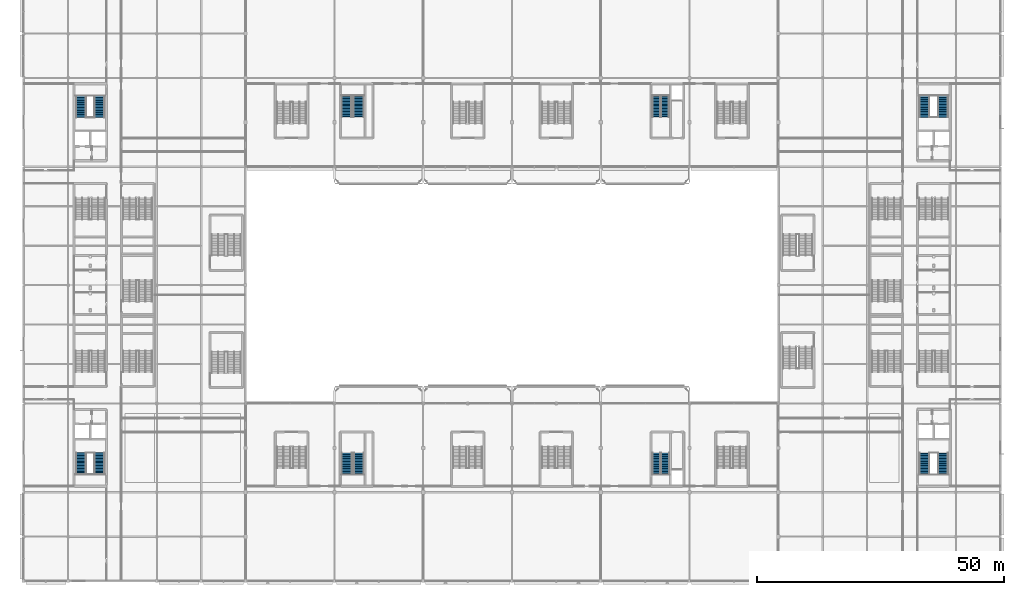
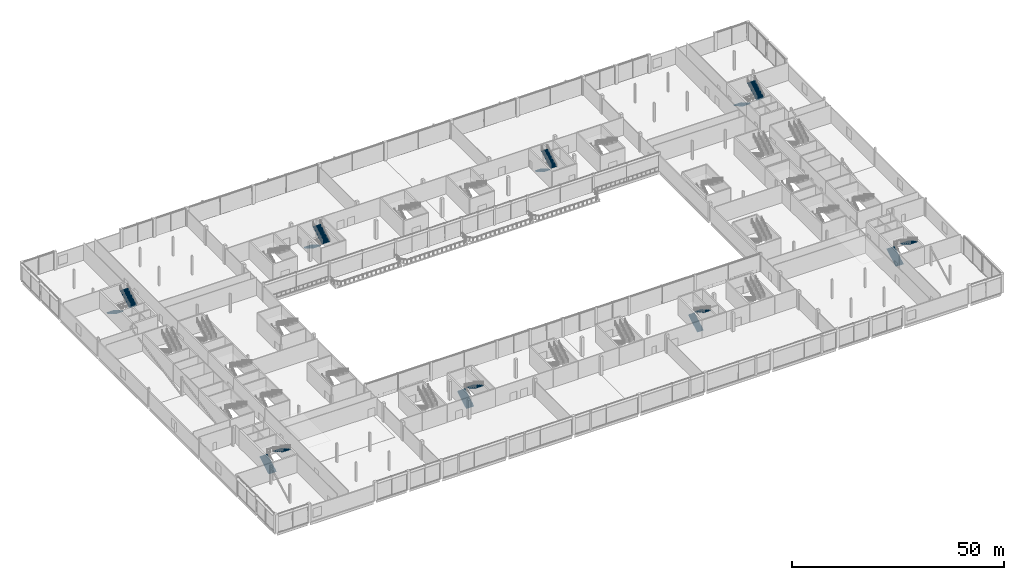
# One storey, part 73 of 113: 16 stair flights, 8 elements without a shape of their own.
"""IFC4 building model written with IfcOpenShell, lengths in metres."""

from ifc_helpers import new_model, si_unit, direction, frame, origin, place, context, subcontext, project, spatial, polyline, outline, extrude, material, type_object, element, aggregate, save


model = new_model("IFC4")

# Units and contexts
model_context = context("Model", 3, precision=1e-05, world=origin(), true_north=direction((0.0, 1.0)))
body_context = subcontext(model_context, "Body", "Model", "MODEL_VIEW")
ifc_project = project(units=[si_unit("LENGTHUNIT", "METRE"), si_unit("AREAUNIT", "SQUARE_METRE"), si_unit("VOLUMEUNIT", "CUBIC_METRE"), si_unit("PLANEANGLEUNIT", "RADIAN"), si_unit("MASSUNIT", "GRAM", prefix="KILO")], contexts=[model_context])

# Site, building, storey
site_placement = place(None, origin())
site = spatial("IfcSite", under=ifc_project, at=site_placement, CompositionType="ELEMENT")
building_placement = place(site_placement, origin())
building = spatial("IfcBuilding", under=site, at=building_placement, Name="Kisiwana Market Hall", CompositionType="ELEMENT")
storey_placement = place(building_placement, frame((0.0, 0.0, 6.0)))
storey = spatial("IfcBuildingStorey", under=building, at=storey_placement, Name="L01", CompositionType="ELEMENT", Elevation=6.0)

# Stair, stair flights
ifc_material_1 = material(Name="Concrete C32/40", Category="concrete")
stair_type = type_object("IfcStairType", Name="ST-POD-5400", PredefinedType="TWO_STRAIGHT_RUN_STAIR", material=ifc_material_1)
stair_1_placement = place(storey_placement, origin())
stair_1 = element("IfcStair", 1, at=stair_1_placement, inside=storey, type_object=stair_type, Name="Escape stair ST-W2-L01", PredefinedType="TWO_STRAIGHT_RUN_STAIR")
ifc_material_2 = material(Name="Concrete C32/40", Category="concrete")
stair_flight_type = type_object("IfcStairFlightType", Name="SF-POD-5400", PredefinedType="STRAIGHT", material=ifc_material_2)
stair_flight_1_placement = place(storey_placement, frame((11.625, 21.674560546875, 0.0), z_axis=(0.0, 0.0, 1.0), x_axis=(0.0, 1.0, 0.0)))
stair_flight_1 = element("IfcStairFlight", 2, at=stair_flight_1_placement, type_object=stair_flight_type, Name="ST-W2-L01 flight 1", NumberOfRisers=16, NumberOfTreads=15, PredefinedType="STRAIGHT", RiserHeight=0.16875, TreadLength=0.29, context=body_context, shape_type="SweptSolid", body=[
    extrude(outline(polyline([(0.0, 0.0), (0.0, 0.168701171875), (0.2900390625, 0.168701171875), (0.2900390625, 0.33740234375), (0.580078125, 0.33740234375), (0.580078125, 0.50634765625), (0.8701171875, 0.50634765625), (0.8701171875, 0.675048828125), (1.159912109375, 0.675048828125), (1.159912109375, 0.84375), (1.449951171875, 0.84375), (1.449951171875, 1.012451171875), (1.739990234375, 1.012451171875), (1.739990234375, 1.18115234375), (2.030029296875, 1.18115234375), (2.030029296875, 1.35009765625), (2.320068359375, 1.35009765625), (2.320068359375, 1.518798828125), (2.610107421875, 1.518798828125), (2.610107421875, 1.6875), (2.89990234375, 1.6875), (2.89990234375, 1.856201171875), (3.18994140625, 1.856201171875), (3.18994140625, 2.02490234375), (3.47998046875, 2.02490234375), (3.47998046875, 2.19384765625), (3.77001953125, 2.19384765625), (3.77001953125, 2.362548828125), (4.06005859375, 2.362548828125), (4.06005859375, 2.53125), (4.35009765625, 2.53125), (4.35009765625, 2.699951171875), (4.35009765625, 2.322998046875), (0.357666015625, 0.0), (0.0, 0.0)])), frame((0.0, 1.050048828125, 0.0), z_axis=(0.0, -1.0, 0.0), x_axis=(1.0, 0.0, 0.0)), (0.0, 0.0, 1.0), 2.10009765625),
])
stair_flight_2_placement = place(storey_placement, frame((15.375, 26.0244140625, 2.699951171875), z_axis=(0.0, 0.0, 1.0), x_axis=(0.0, -1.0, 0.0)))
stair_flight_2 = element("IfcStairFlight", 3, at=stair_flight_2_placement, type_object=stair_flight_type, Name="ST-W2-L01 flight 2", NumberOfRisers=16, NumberOfTreads=15, PredefinedType="STRAIGHT", RiserHeight=0.16875, TreadLength=0.29, context=body_context, shape_type="SweptSolid", body=[
    extrude(outline(polyline([(0.0, 0.0), (0.0, 0.168701171875), (0.2900390625, 0.168701171875), (0.2900390625, 0.33740234375), (0.580078125, 0.33740234375), (0.580078125, 0.50634765625), (0.8701171875, 0.50634765625), (0.8701171875, 0.675048828125), (1.159912109375, 0.675048828125), (1.159912109375, 0.84375), (1.449951171875, 0.84375), (1.449951171875, 1.012451171875), (1.739990234375, 1.012451171875), (1.739990234375, 1.18115234375), (2.030029296875, 1.18115234375), (2.030029296875, 1.35009765625), (2.320068359375, 1.35009765625), (2.320068359375, 1.518798828125), (2.610107421875, 1.518798828125), (2.610107421875, 1.6875), (2.89990234375, 1.6875), (2.89990234375, 1.856201171875), (3.18994140625, 1.856201171875), (3.18994140625, 2.02490234375), (3.47998046875, 2.02490234375), (3.47998046875, 2.19384765625), (3.77001953125, 2.19384765625), (3.77001953125, 2.362548828125), (4.06005859375, 2.362548828125), (4.06005859375, 2.53125), (4.35009765625, 2.53125), (4.35009765625, 2.699951171875), (4.35009765625, 2.322998046875), (0.357666015625, 0.0), (0.0, 0.0)])), frame((0.0, 1.050048828125, 0.0), z_axis=(0.0, -1.0, 0.0), x_axis=(1.0, 0.0, 0.0)), (0.0, 0.0, 1.0), 2.10009765625),
])
aggregate(stair_1, [stair_flight_1, stair_flight_2])

stair_2_placement = place(storey_placement, origin())
stair_2 = element("IfcStair", 4, at=stair_2_placement, inside=storey, type_object=stair_type, Name="Escape stair ST-W1-L01", PredefinedType="TWO_STRAIGHT_RUN_STAIR")
stair_flight_3_placement = place(storey_placement, frame((11.625, 98.325439453125, 0.0), z_axis=(0.0, 0.0, 1.0), x_axis=(0.0, -1.0, 0.0)))
stair_flight_3 = element("IfcStairFlight", 5, at=stair_flight_3_placement, type_object=stair_flight_type, Name="ST-W1-L01 flight 1", NumberOfRisers=16, NumberOfTreads=15, PredefinedType="STRAIGHT", RiserHeight=0.16875, TreadLength=0.29, context=body_context, shape_type="SweptSolid", body=[
    extrude(outline(polyline([(0.0, 0.0), (0.0, 0.168701171875), (0.2900390625, 0.168701171875), (0.2900390625, 0.33740234375), (0.580078125, 0.33740234375), (0.580078125, 0.50634765625), (0.8701171875, 0.50634765625), (0.8701171875, 0.675048828125), (1.159912109375, 0.675048828125), (1.159912109375, 0.84375), (1.449951171875, 0.84375), (1.449951171875, 1.012451171875), (1.739990234375, 1.012451171875), (1.739990234375, 1.18115234375), (2.030029296875, 1.18115234375), (2.030029296875, 1.35009765625), (2.320068359375, 1.35009765625), (2.320068359375, 1.518798828125), (2.610107421875, 1.518798828125), (2.610107421875, 1.6875), (2.89990234375, 1.6875), (2.89990234375, 1.856201171875), (3.18994140625, 1.856201171875), (3.18994140625, 2.02490234375), (3.47998046875, 2.02490234375), (3.47998046875, 2.19384765625), (3.77001953125, 2.19384765625), (3.77001953125, 2.362548828125), (4.06005859375, 2.362548828125), (4.06005859375, 2.53125), (4.35009765625, 2.53125), (4.35009765625, 2.699951171875), (4.35009765625, 2.322998046875), (0.357666015625, 0.0), (0.0, 0.0)])), frame((0.0, 1.050048828125, 0.0), z_axis=(0.0, -1.0, 0.0), x_axis=(1.0, 0.0, 0.0)), (0.0, 0.0, 1.0), 2.10009765625),
])
stair_flight_4_placement = place(storey_placement, frame((15.375, 93.9755859375, 2.699951171875), z_axis=(0.0, 0.0, 1.0), x_axis=(0.0, 1.0, 0.0)))
stair_flight_4 = element("IfcStairFlight", 6, at=stair_flight_4_placement, type_object=stair_flight_type, Name="ST-W1-L01 flight 2", NumberOfRisers=16, NumberOfTreads=15, PredefinedType="STRAIGHT", RiserHeight=0.16875, TreadLength=0.29, context=body_context, shape_type="SweptSolid", body=[
    extrude(outline(polyline([(0.0, 0.0), (0.0, 0.168701171875), (0.2900390625, 0.168701171875), (0.2900390625, 0.33740234375), (0.580078125, 0.33740234375), (0.580078125, 0.50634765625), (0.8701171875, 0.50634765625), (0.8701171875, 0.675048828125), (1.159912109375, 0.675048828125), (1.159912109375, 0.84375), (1.449951171875, 0.84375), (1.449951171875, 1.012451171875), (1.739990234375, 1.012451171875), (1.739990234375, 1.18115234375), (2.030029296875, 1.18115234375), (2.030029296875, 1.35009765625), (2.320068359375, 1.35009765625), (2.320068359375, 1.518798828125), (2.610107421875, 1.518798828125), (2.610107421875, 1.6875), (2.89990234375, 1.6875), (2.89990234375, 1.856201171875), (3.18994140625, 1.856201171875), (3.18994140625, 2.02490234375), (3.47998046875, 2.02490234375), (3.47998046875, 2.19384765625), (3.77001953125, 2.19384765625), (3.77001953125, 2.362548828125), (4.06005859375, 2.362548828125), (4.06005859375, 2.53125), (4.35009765625, 2.53125), (4.35009765625, 2.699951171875), (4.35009765625, 2.322998046875), (0.357666015625, 0.0), (0.0, 0.0)])), frame((0.0, 1.050048828125, 0.0), z_axis=(0.0, -1.0, 0.0), x_axis=(1.0, 0.0, 0.0)), (0.0, 0.0, 1.0), 2.10009765625),
])
aggregate(stair_2, [stair_flight_3, stair_flight_4])

stair_3_placement = place(storey_placement, origin())
stair_3 = element("IfcStair", 7, at=stair_3_placement, inside=storey, type_object=stair_type, Name="Escape stair ST-E2-L01", PredefinedType="TWO_STRAIGHT_RUN_STAIR")
stair_flight_5_placement = place(storey_placement, frame((182.60009765625, 21.6494140625, 0.0), z_axis=(0.0, 0.0, 1.0), x_axis=(0.0, 1.0, 0.0)))
stair_flight_5 = element("IfcStairFlight", 8, at=stair_flight_5_placement, type_object=stair_flight_type, Name="ST-E2-L01 flight 1", NumberOfRisers=16, NumberOfTreads=15, PredefinedType="STRAIGHT", RiserHeight=0.16875, TreadLength=0.29, context=body_context, shape_type="SweptSolid", body=[
    extrude(outline(polyline([(0.0, 0.0), (0.0, 0.168701171875), (0.2900390625, 0.168701171875), (0.2900390625, 0.33740234375), (0.580078125, 0.33740234375), (0.580078125, 0.50634765625), (0.8701171875, 0.50634765625), (0.8701171875, 0.675048828125), (1.159912109375, 0.675048828125), (1.159912109375, 0.84375), (1.449951171875, 0.84375), (1.449951171875, 1.012451171875), (1.739990234375, 1.012451171875), (1.739990234375, 1.18115234375), (2.030029296875, 1.18115234375), (2.030029296875, 1.35009765625), (2.320068359375, 1.35009765625), (2.320068359375, 1.518798828125), (2.610107421875, 1.518798828125), (2.610107421875, 1.6875), (2.89990234375, 1.6875), (2.89990234375, 1.856201171875), (3.18994140625, 1.856201171875), (3.18994140625, 2.02490234375), (3.47998046875, 2.02490234375), (3.47998046875, 2.19384765625), (3.77001953125, 2.19384765625), (3.77001953125, 2.362548828125), (4.06005859375, 2.362548828125), (4.06005859375, 2.53125), (4.35009765625, 2.53125), (4.35009765625, 2.699951171875), (4.35009765625, 2.322998046875), (0.357666015625, 0.0), (0.0, 0.0)])), frame((0.0, 1.050048828125, 0.0), z_axis=(0.0, -1.0, 0.0), x_axis=(1.0, 0.0, 0.0)), (0.0, 0.0, 1.0), 2.10009765625),
])
stair_flight_6_placement = place(storey_placement, frame((186.39990234375, 25.99951171875, 2.699951171875), z_axis=(0.0, 0.0, 1.0), x_axis=(0.0, -1.0, 0.0)))
stair_flight_6 = element("IfcStairFlight", 9, at=stair_flight_6_placement, type_object=stair_flight_type, Name="ST-E2-L01 flight 2", NumberOfRisers=16, NumberOfTreads=15, PredefinedType="STRAIGHT", RiserHeight=0.16875, TreadLength=0.29, context=body_context, shape_type="SweptSolid", body=[
    extrude(outline(polyline([(0.0, 0.0), (0.0, 0.168701171875), (0.2900390625, 0.168701171875), (0.2900390625, 0.33740234375), (0.580078125, 0.33740234375), (0.580078125, 0.50634765625), (0.8701171875, 0.50634765625), (0.8701171875, 0.675048828125), (1.159912109375, 0.675048828125), (1.159912109375, 0.84375), (1.449951171875, 0.84375), (1.449951171875, 1.012451171875), (1.739990234375, 1.012451171875), (1.739990234375, 1.18115234375), (2.030029296875, 1.18115234375), (2.030029296875, 1.35009765625), (2.320068359375, 1.35009765625), (2.320068359375, 1.518798828125), (2.610107421875, 1.518798828125), (2.610107421875, 1.6875), (2.89990234375, 1.6875), (2.89990234375, 1.856201171875), (3.18994140625, 1.856201171875), (3.18994140625, 2.02490234375), (3.47998046875, 2.02490234375), (3.47998046875, 2.19384765625), (3.77001953125, 2.19384765625), (3.77001953125, 2.362548828125), (4.06005859375, 2.362548828125), (4.06005859375, 2.53125), (4.35009765625, 2.53125), (4.35009765625, 2.699951171875), (4.35009765625, 2.322998046875), (0.357666015625, 0.0), (0.0, 0.0)])), frame((0.0, 1.050048828125, 0.0), z_axis=(0.0, -1.0, 0.0), x_axis=(1.0, 0.0, 0.0)), (0.0, 0.0, 1.0), 2.10009765625),
])
aggregate(stair_3, [stair_flight_5, stair_flight_6])

stair_4_placement = place(storey_placement, origin())
stair_4 = element("IfcStair", 10, at=stair_4_placement, inside=storey, type_object=stair_type, Name="Escape stair ST-E1-L01", PredefinedType="TWO_STRAIGHT_RUN_STAIR")
stair_flight_7_placement = place(storey_placement, frame((182.60009765625, 98.3505859375, 0.0), z_axis=(0.0, 0.0, 1.0), x_axis=(0.0, -1.0, 0.0)))
stair_flight_7 = element("IfcStairFlight", 11, at=stair_flight_7_placement, type_object=stair_flight_type, Name="ST-E1-L01 flight 1", NumberOfRisers=16, NumberOfTreads=15, PredefinedType="STRAIGHT", RiserHeight=0.16875, TreadLength=0.29, context=body_context, shape_type="SweptSolid", body=[
    extrude(outline(polyline([(0.0, 0.0), (0.0, 0.168701171875), (0.2900390625, 0.168701171875), (0.2900390625, 0.33740234375), (0.580078125, 0.33740234375), (0.580078125, 0.50634765625), (0.8701171875, 0.50634765625), (0.8701171875, 0.675048828125), (1.159912109375, 0.675048828125), (1.159912109375, 0.84375), (1.449951171875, 0.84375), (1.449951171875, 1.012451171875), (1.739990234375, 1.012451171875), (1.739990234375, 1.18115234375), (2.030029296875, 1.18115234375), (2.030029296875, 1.35009765625), (2.320068359375, 1.35009765625), (2.320068359375, 1.518798828125), (2.610107421875, 1.518798828125), (2.610107421875, 1.6875), (2.89990234375, 1.6875), (2.89990234375, 1.856201171875), (3.18994140625, 1.856201171875), (3.18994140625, 2.02490234375), (3.47998046875, 2.02490234375), (3.47998046875, 2.19384765625), (3.77001953125, 2.19384765625), (3.77001953125, 2.362548828125), (4.06005859375, 2.362548828125), (4.06005859375, 2.53125), (4.35009765625, 2.53125), (4.35009765625, 2.699951171875), (4.35009765625, 2.322998046875), (0.357666015625, 0.0), (0.0, 0.0)])), frame((0.0, 1.050048828125, 0.0), z_axis=(0.0, -1.0, 0.0), x_axis=(1.0, 0.0, 0.0)), (0.0, 0.0, 1.0), 2.10009765625),
])
stair_flight_8_placement = place(storey_placement, frame((186.39990234375, 94.00048828125, 2.699951171875), z_axis=(0.0, 0.0, 1.0), x_axis=(0.0, 1.0, 0.0)))
stair_flight_8 = element("IfcStairFlight", 12, at=stair_flight_8_placement, type_object=stair_flight_type, Name="ST-E1-L01 flight 2", NumberOfRisers=16, NumberOfTreads=15, PredefinedType="STRAIGHT", RiserHeight=0.16875, TreadLength=0.29, context=body_context, shape_type="SweptSolid", body=[
    extrude(outline(polyline([(0.0, 0.0), (0.0, 0.168701171875), (0.2900390625, 0.168701171875), (0.2900390625, 0.33740234375), (0.580078125, 0.33740234375), (0.580078125, 0.50634765625), (0.8701171875, 0.50634765625), (0.8701171875, 0.675048828125), (1.159912109375, 0.675048828125), (1.159912109375, 0.84375), (1.449951171875, 0.84375), (1.449951171875, 1.012451171875), (1.739990234375, 1.012451171875), (1.739990234375, 1.18115234375), (2.030029296875, 1.18115234375), (2.030029296875, 1.35009765625), (2.320068359375, 1.35009765625), (2.320068359375, 1.518798828125), (2.610107421875, 1.518798828125), (2.610107421875, 1.6875), (2.89990234375, 1.6875), (2.89990234375, 1.856201171875), (3.18994140625, 1.856201171875), (3.18994140625, 2.02490234375), (3.47998046875, 2.02490234375), (3.47998046875, 2.19384765625), (3.77001953125, 2.19384765625), (3.77001953125, 2.362548828125), (4.06005859375, 2.362548828125), (4.06005859375, 2.53125), (4.35009765625, 2.53125), (4.35009765625, 2.699951171875), (4.35009765625, 2.322998046875), (0.357666015625, 0.0), (0.0, 0.0)])), frame((0.0, 1.050048828125, 0.0), z_axis=(0.0, -1.0, 0.0), x_axis=(1.0, 0.0, 0.0)), (0.0, 0.0, 1.0), 2.10009765625),
])
aggregate(stair_4, [stair_flight_7, stair_flight_8])

stair_5_placement = place(storey_placement, origin())
stair_5 = element("IfcStair", 13, at=stair_5_placement, inside=storey, type_object=stair_type, Name="Escape stair ST-S1-L01", PredefinedType="TWO_STRAIGHT_RUN_STAIR")
stair_flight_9_placement = place(storey_placement, frame((65.489990234375, 21.62939453125, 0.0), z_axis=(0.0, 0.0, 1.0), x_axis=(0.0, 1.0, 0.0)))
stair_flight_9 = element("IfcStairFlight", 14, at=stair_flight_9_placement, type_object=stair_flight_type, Name="ST-S1-L01 flight 1", NumberOfRisers=16, NumberOfTreads=15, PredefinedType="STRAIGHT", RiserHeight=0.16875, TreadLength=0.29, context=body_context, shape_type="SweptSolid", body=[
    extrude(outline(polyline([(0.0, 0.0), (0.0, 0.168701171875), (0.2900390625, 0.168701171875), (0.2900390625, 0.33740234375), (0.580078125, 0.33740234375), (0.580078125, 0.50634765625), (0.8701171875, 0.50634765625), (0.8701171875, 0.675048828125), (1.159912109375, 0.675048828125), (1.159912109375, 0.84375), (1.449951171875, 0.84375), (1.449951171875, 1.012451171875), (1.739990234375, 1.012451171875), (1.739990234375, 1.18115234375), (2.030029296875, 1.18115234375), (2.030029296875, 1.35009765625), (2.320068359375, 1.35009765625), (2.320068359375, 1.518798828125), (2.610107421875, 1.518798828125), (2.610107421875, 1.6875), (2.89990234375, 1.6875), (2.89990234375, 1.856201171875), (3.18994140625, 1.856201171875), (3.18994140625, 2.02490234375), (3.47998046875, 2.02490234375), (3.47998046875, 2.19384765625), (3.77001953125, 2.19384765625), (3.77001953125, 2.362548828125), (4.06005859375, 2.362548828125), (4.06005859375, 2.53125), (4.35009765625, 2.53125), (4.35009765625, 2.699951171875), (4.35009765625, 2.322998046875), (0.357666015625, 0.0), (0.0, 0.0)])), frame((0.0, 1.050048828125, 0.0), z_axis=(0.0, -1.0, 0.0), x_axis=(1.0, 0.0, 0.0)), (0.0, 0.0, 1.0), 2.10009765625),
])
stair_flight_10_placement = place(storey_placement, frame((67.969970703125, 25.9794921875, 2.699951171875), z_axis=(0.0, 0.0, 1.0), x_axis=(0.0, -1.0, 0.0)))
stair_flight_10 = element("IfcStairFlight", 15, at=stair_flight_10_placement, type_object=stair_flight_type, Name="ST-S1-L01 flight 2", NumberOfRisers=16, NumberOfTreads=15, PredefinedType="STRAIGHT", RiserHeight=0.16875, TreadLength=0.29, context=body_context, shape_type="SweptSolid", body=[
    extrude(outline(polyline([(0.0, 0.0), (0.0, 0.168701171875), (0.2900390625, 0.168701171875), (0.2900390625, 0.33740234375), (0.580078125, 0.33740234375), (0.580078125, 0.50634765625), (0.8701171875, 0.50634765625), (0.8701171875, 0.675048828125), (1.159912109375, 0.675048828125), (1.159912109375, 0.84375), (1.449951171875, 0.84375), (1.449951171875, 1.012451171875), (1.739990234375, 1.012451171875), (1.739990234375, 1.18115234375), (2.030029296875, 1.18115234375), (2.030029296875, 1.35009765625), (2.320068359375, 1.35009765625), (2.320068359375, 1.518798828125), (2.610107421875, 1.518798828125), (2.610107421875, 1.6875), (2.89990234375, 1.6875), (2.89990234375, 1.856201171875), (3.18994140625, 1.856201171875), (3.18994140625, 2.02490234375), (3.47998046875, 2.02490234375), (3.47998046875, 2.19384765625), (3.77001953125, 2.19384765625), (3.77001953125, 2.362548828125), (4.06005859375, 2.362548828125), (4.06005859375, 2.53125), (4.35009765625, 2.53125), (4.35009765625, 2.699951171875), (4.35009765625, 2.322998046875), (0.357666015625, 0.0), (0.0, 0.0)])), frame((0.0, 1.050048828125, 0.0), z_axis=(0.0, -1.0, 0.0), x_axis=(1.0, 0.0, 0.0)), (0.0, 0.0, 1.0), 2.10009765625),
])
aggregate(stair_5, [stair_flight_9, stair_flight_10])

stair_6_placement = place(storey_placement, origin())
stair_6 = element("IfcStair", 16, at=stair_6_placement, inside=storey, type_object=stair_type, Name="Escape stair ST-S2-L01", PredefinedType="TWO_STRAIGHT_RUN_STAIR")
stair_flight_11_placement = place(storey_placement, frame((128.280029296875, 21.62939453125, 0.0), z_axis=(0.0, 0.0, 1.0), x_axis=(0.0, 1.0, 0.0)))
stair_flight_11 = element("IfcStairFlight", 17, at=stair_flight_11_placement, type_object=stair_flight_type, Name="ST-S2-L01 flight 1", NumberOfRisers=16, NumberOfTreads=15, PredefinedType="STRAIGHT", RiserHeight=0.16875, TreadLength=0.29, context=body_context, shape_type="SweptSolid", body=[
    extrude(outline(polyline([(0.0, 0.0), (0.0, 0.168701171875), (0.2900390625, 0.168701171875), (0.2900390625, 0.33740234375), (0.580078125, 0.33740234375), (0.580078125, 0.50634765625), (0.8701171875, 0.50634765625), (0.8701171875, 0.675048828125), (1.159912109375, 0.675048828125), (1.159912109375, 0.84375), (1.449951171875, 0.84375), (1.449951171875, 1.012451171875), (1.739990234375, 1.012451171875), (1.739990234375, 1.18115234375), (2.030029296875, 1.18115234375), (2.030029296875, 1.35009765625), (2.320068359375, 1.35009765625), (2.320068359375, 1.518798828125), (2.610107421875, 1.518798828125), (2.610107421875, 1.6875), (2.89990234375, 1.6875), (2.89990234375, 1.856201171875), (3.18994140625, 1.856201171875), (3.18994140625, 2.02490234375), (3.47998046875, 2.02490234375), (3.47998046875, 2.19384765625), (3.77001953125, 2.19384765625), (3.77001953125, 2.362548828125), (4.06005859375, 2.362548828125), (4.06005859375, 2.53125), (4.35009765625, 2.53125), (4.35009765625, 2.699951171875), (4.35009765625, 2.322998046875), (0.357666015625, 0.0), (0.0, 0.0)])), frame((0.0, 0.83984375, 0.0), z_axis=(0.0, -1.0, 0.0), x_axis=(1.0, 0.0, 0.0)), (0.0, 0.0, 1.0), 1.679931640625),
])
stair_flight_12_placement = place(storey_placement, frame((130.080078125, 25.9794921875, 2.699951171875), z_axis=(0.0, 0.0, 1.0), x_axis=(0.0, -1.0, 0.0)))
stair_flight_12 = element("IfcStairFlight", 18, at=stair_flight_12_placement, type_object=stair_flight_type, Name="ST-S2-L01 flight 2", NumberOfRisers=16, NumberOfTreads=15, PredefinedType="STRAIGHT", RiserHeight=0.16875, TreadLength=0.29, context=body_context, shape_type="SweptSolid", body=[
    extrude(outline(polyline([(0.0, 0.0), (0.0, 0.168701171875), (0.2900390625, 0.168701171875), (0.2900390625, 0.33740234375), (0.580078125, 0.33740234375), (0.580078125, 0.50634765625), (0.8701171875, 0.50634765625), (0.8701171875, 0.675048828125), (1.159912109375, 0.675048828125), (1.159912109375, 0.84375), (1.449951171875, 0.84375), (1.449951171875, 1.012451171875), (1.739990234375, 1.012451171875), (1.739990234375, 1.18115234375), (2.030029296875, 1.18115234375), (2.030029296875, 1.35009765625), (2.320068359375, 1.35009765625), (2.320068359375, 1.518798828125), (2.610107421875, 1.518798828125), (2.610107421875, 1.6875), (2.89990234375, 1.6875), (2.89990234375, 1.856201171875), (3.18994140625, 1.856201171875), (3.18994140625, 2.02490234375), (3.47998046875, 2.02490234375), (3.47998046875, 2.19384765625), (3.77001953125, 2.19384765625), (3.77001953125, 2.362548828125), (4.06005859375, 2.362548828125), (4.06005859375, 2.53125), (4.35009765625, 2.53125), (4.35009765625, 2.699951171875), (4.35009765625, 2.322998046875), (0.357666015625, 0.0), (0.0, 0.0)])), frame((0.0, 0.83984375, 0.0), z_axis=(0.0, -1.0, 0.0), x_axis=(1.0, 0.0, 0.0)), (0.0, 0.0, 1.0), 1.679931640625),
])
aggregate(stair_6, [stair_flight_11, stair_flight_12])

stair_7_placement = place(storey_placement, origin())
stair_7 = element("IfcStair", 19, at=stair_7_placement, inside=storey, type_object=stair_type, Name="Escape stair ST-N1-L01", PredefinedType="TWO_STRAIGHT_RUN_STAIR")
stair_flight_13_placement = place(storey_placement, frame((65.469970703125, 98.390380859375, 0.0), z_axis=(0.0, 0.0, 1.0), x_axis=(0.0, -1.0, 0.0)))
stair_flight_13 = element("IfcStairFlight", 20, at=stair_flight_13_placement, type_object=stair_flight_type, Name="ST-N1-L01 flight 1", NumberOfRisers=16, NumberOfTreads=15, PredefinedType="STRAIGHT", RiserHeight=0.16875, TreadLength=0.29, context=body_context, shape_type="SweptSolid", body=[
    extrude(outline(polyline([(0.0, 0.0), (0.0, 0.168701171875), (0.2900390625, 0.168701171875), (0.2900390625, 0.33740234375), (0.580078125, 0.33740234375), (0.580078125, 0.50634765625), (0.8701171875, 0.50634765625), (0.8701171875, 0.675048828125), (1.159912109375, 0.675048828125), (1.159912109375, 0.84375), (1.449951171875, 0.84375), (1.449951171875, 1.012451171875), (1.739990234375, 1.012451171875), (1.739990234375, 1.18115234375), (2.030029296875, 1.18115234375), (2.030029296875, 1.35009765625), (2.320068359375, 1.35009765625), (2.320068359375, 1.518798828125), (2.610107421875, 1.518798828125), (2.610107421875, 1.6875), (2.89990234375, 1.6875), (2.89990234375, 1.856201171875), (3.18994140625, 1.856201171875), (3.18994140625, 2.02490234375), (3.47998046875, 2.02490234375), (3.47998046875, 2.19384765625), (3.77001953125, 2.19384765625), (3.77001953125, 2.362548828125), (4.06005859375, 2.362548828125), (4.06005859375, 2.53125), (4.35009765625, 2.53125), (4.35009765625, 2.699951171875), (4.35009765625, 2.322998046875), (0.357666015625, 0.0), (0.0, 0.0)])), frame((0.0, 1.050048828125, 0.0), z_axis=(0.0, -1.0, 0.0), x_axis=(1.0, 0.0, 0.0)), (0.0, 0.0, 1.0), 2.10009765625),
])
stair_flight_14_placement = place(storey_placement, frame((67.949951171875, 94.04052734375, 2.699951171875), z_axis=(0.0, 0.0, 1.0), x_axis=(0.0, 1.0, 0.0)))
stair_flight_14 = element("IfcStairFlight", 21, at=stair_flight_14_placement, type_object=stair_flight_type, Name="ST-N1-L01 flight 2", NumberOfRisers=16, NumberOfTreads=15, PredefinedType="STRAIGHT", RiserHeight=0.16875, TreadLength=0.29, context=body_context, shape_type="SweptSolid", body=[
    extrude(outline(polyline([(0.0, 0.0), (0.0, 0.168701171875), (0.2900390625, 0.168701171875), (0.2900390625, 0.33740234375), (0.580078125, 0.33740234375), (0.580078125, 0.50634765625), (0.8701171875, 0.50634765625), (0.8701171875, 0.675048828125), (1.159912109375, 0.675048828125), (1.159912109375, 0.84375), (1.449951171875, 0.84375), (1.449951171875, 1.012451171875), (1.739990234375, 1.012451171875), (1.739990234375, 1.18115234375), (2.030029296875, 1.18115234375), (2.030029296875, 1.35009765625), (2.320068359375, 1.35009765625), (2.320068359375, 1.518798828125), (2.610107421875, 1.518798828125), (2.610107421875, 1.6875), (2.89990234375, 1.6875), (2.89990234375, 1.856201171875), (3.18994140625, 1.856201171875), (3.18994140625, 2.02490234375), (3.47998046875, 2.02490234375), (3.47998046875, 2.19384765625), (3.77001953125, 2.19384765625), (3.77001953125, 2.362548828125), (4.06005859375, 2.362548828125), (4.06005859375, 2.53125), (4.35009765625, 2.53125), (4.35009765625, 2.699951171875), (4.35009765625, 2.322998046875), (0.357666015625, 0.0), (0.0, 0.0)])), frame((0.0, 1.050048828125, 0.0), z_axis=(0.0, -1.0, 0.0), x_axis=(1.0, 0.0, 0.0)), (0.0, 0.0, 1.0), 2.10009765625),
])
aggregate(stair_7, [stair_flight_13, stair_flight_14])

stair_8_placement = place(storey_placement, origin())
stair_8 = element("IfcStair", 22, at=stair_8_placement, inside=storey, type_object=stair_type, Name="Escape stair ST-N2-L01", PredefinedType="TWO_STRAIGHT_RUN_STAIR")
stair_flight_15_placement = place(storey_placement, frame((128.260009765625, 98.390380859375, 0.0), z_axis=(0.0, 0.0, 1.0), x_axis=(0.0, -1.0, 0.0)))
stair_flight_15 = element("IfcStairFlight", 23, at=stair_flight_15_placement, type_object=stair_flight_type, Name="ST-N2-L01 flight 1", NumberOfRisers=16, NumberOfTreads=15, PredefinedType="STRAIGHT", RiserHeight=0.16875, TreadLength=0.29, context=body_context, shape_type="SweptSolid", body=[
    extrude(outline(polyline([(0.0, 0.0), (0.0, 0.168701171875), (0.2900390625, 0.168701171875), (0.2900390625, 0.33740234375), (0.580078125, 0.33740234375), (0.580078125, 0.50634765625), (0.8701171875, 0.50634765625), (0.8701171875, 0.675048828125), (1.159912109375, 0.675048828125), (1.159912109375, 0.84375), (1.449951171875, 0.84375), (1.449951171875, 1.012451171875), (1.739990234375, 1.012451171875), (1.739990234375, 1.18115234375), (2.030029296875, 1.18115234375), (2.030029296875, 1.35009765625), (2.320068359375, 1.35009765625), (2.320068359375, 1.518798828125), (2.610107421875, 1.518798828125), (2.610107421875, 1.6875), (2.89990234375, 1.6875), (2.89990234375, 1.856201171875), (3.18994140625, 1.856201171875), (3.18994140625, 2.02490234375), (3.47998046875, 2.02490234375), (3.47998046875, 2.19384765625), (3.77001953125, 2.19384765625), (3.77001953125, 2.362548828125), (4.06005859375, 2.362548828125), (4.06005859375, 2.53125), (4.35009765625, 2.53125), (4.35009765625, 2.699951171875), (4.35009765625, 2.322998046875), (0.357666015625, 0.0), (0.0, 0.0)])), frame((0.0, 0.83984375, 0.0), z_axis=(0.0, -1.0, 0.0), x_axis=(1.0, 0.0, 0.0)), (0.0, 0.0, 1.0), 1.679931640625),
])
stair_flight_16_placement = place(storey_placement, frame((130.06005859375, 94.04052734375, 2.699951171875), z_axis=(0.0, 0.0, 1.0), x_axis=(0.0, 1.0, 0.0)))
stair_flight_16 = element("IfcStairFlight", 24, at=stair_flight_16_placement, type_object=stair_flight_type, Name="ST-N2-L01 flight 2", NumberOfRisers=16, NumberOfTreads=15, PredefinedType="STRAIGHT", RiserHeight=0.16875, TreadLength=0.29, context=body_context, shape_type="SweptSolid", body=[
    extrude(outline(polyline([(0.0, 0.0), (0.0, 0.168701171875), (0.2900390625, 0.168701171875), (0.2900390625, 0.33740234375), (0.580078125, 0.33740234375), (0.580078125, 0.50634765625), (0.8701171875, 0.50634765625), (0.8701171875, 0.675048828125), (1.159912109375, 0.675048828125), (1.159912109375, 0.84375), (1.449951171875, 0.84375), (1.449951171875, 1.012451171875), (1.739990234375, 1.012451171875), (1.739990234375, 1.18115234375), (2.030029296875, 1.18115234375), (2.030029296875, 1.35009765625), (2.320068359375, 1.35009765625), (2.320068359375, 1.518798828125), (2.610107421875, 1.518798828125), (2.610107421875, 1.6875), (2.89990234375, 1.6875), (2.89990234375, 1.856201171875), (3.18994140625, 1.856201171875), (3.18994140625, 2.02490234375), (3.47998046875, 2.02490234375), (3.47998046875, 2.19384765625), (3.77001953125, 2.19384765625), (3.77001953125, 2.362548828125), (4.06005859375, 2.362548828125), (4.06005859375, 2.53125), (4.35009765625, 2.53125), (4.35009765625, 2.699951171875), (4.35009765625, 2.322998046875), (0.357666015625, 0.0), (0.0, 0.0)])), frame((0.0, 0.83984375, 0.0), z_axis=(0.0, -1.0, 0.0), x_axis=(1.0, 0.0, 0.0)), (0.0, 0.0, 1.0), 1.679931640625),
])
aggregate(stair_8, [stair_flight_15, stair_flight_16])

save(model, "model.ifc")
